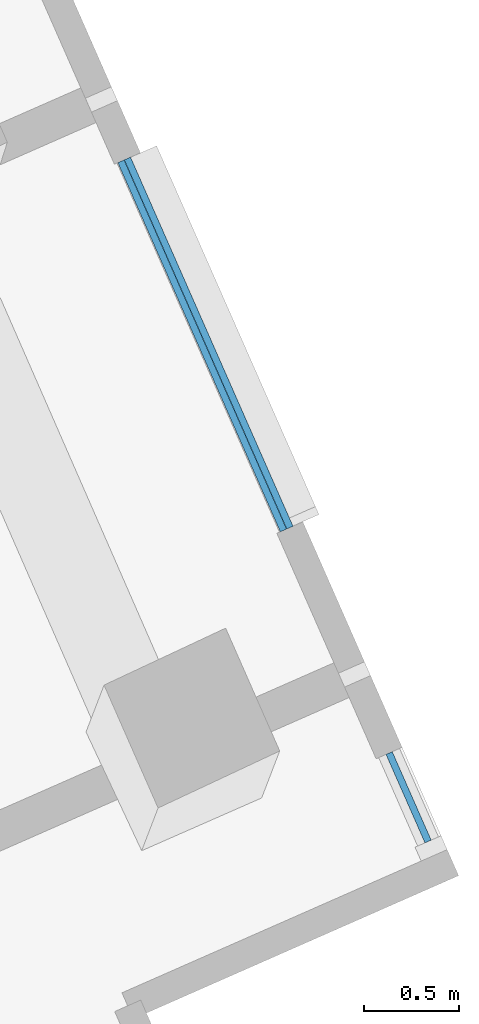
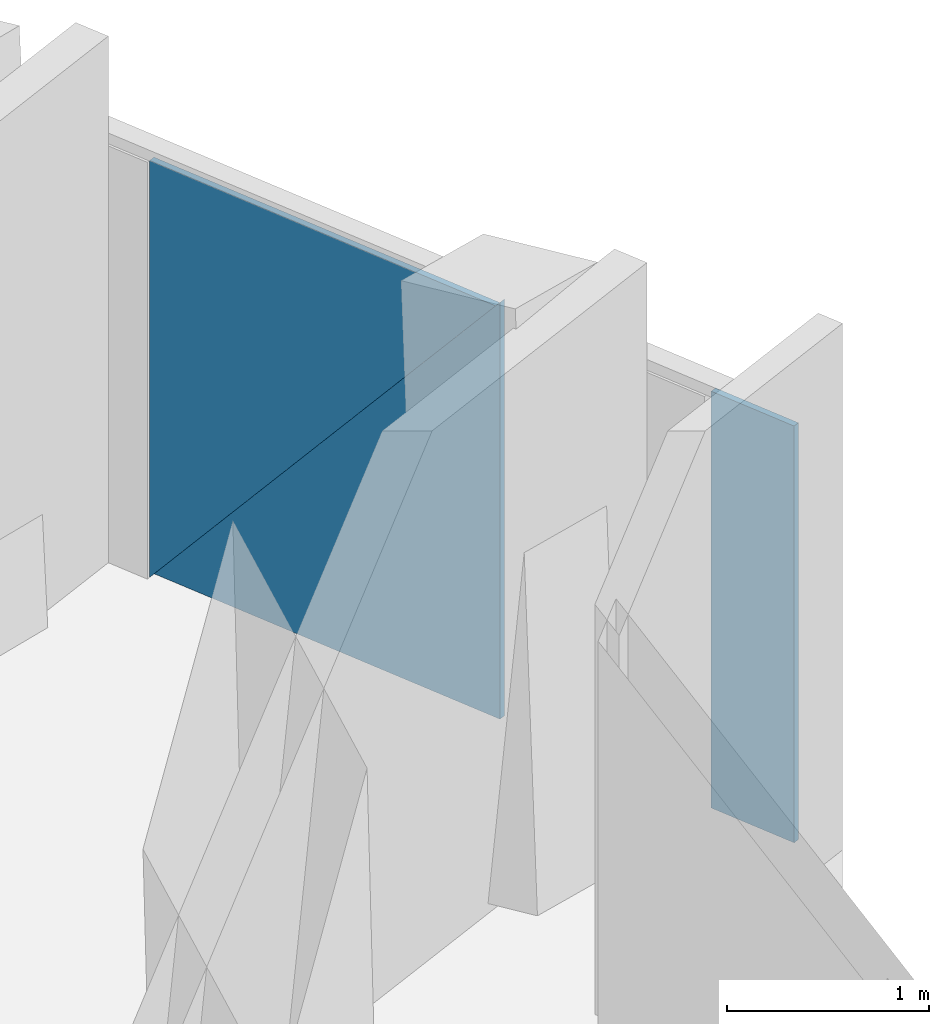
# One storey, part 14 of 22: 3 plates, 1 element without a shape of its own.
"""IFC4 building model written with IfcOpenShell, lengths in metres."""

from ifc_helpers import new_model, si_unit, direction, frame, origin, origin_2d, place, context, subcontext, project, spatial, polyline, rectangle, outline, extrude, material, layer, layer_set, type_object, element, aggregate, save


model = new_model("IFC4")

# Units and contexts
model_context = context("Model", 3, precision=1e-05, world=origin(), true_north=direction((0.0, 1.0)))
body_context = subcontext(model_context, "Body", "Model", "MODEL_VIEW")
ifc_project = project(units=[si_unit("LENGTHUNIT", "METRE"), si_unit("AREAUNIT", "SQUARE_METRE"), si_unit("VOLUMEUNIT", "CUBIC_METRE"), si_unit("PLANEANGLEUNIT", "RADIAN"), si_unit("MASSUNIT", "GRAM", prefix="KILO")], contexts=[model_context])

# Site, building, storey
site_placement = place(None, origin())
site = spatial("IfcSite", under=ifc_project, at=site_placement, CompositionType="ELEMENT")
building_placement = place(site_placement, origin())
building = spatial("IfcBuilding", under=site, at=building_placement, Name="Verdalira Terraces Hotel", CompositionType="ELEMENT")
storey_placement = place(building_placement, frame((0.0, 0.0, 252.5)))
storey = spatial("IfcBuildingStorey", under=building, at=storey_placement, Name="L62", CompositionType="ELEMENT", Elevation=252.5)

# Curtain wall, plates
ifc_material_1 = material(Name="Clear glass", Category="glass")
ifc_layer_1 = layer(ifc_material_1, 0.14990234375)
ifc_layer_set_1 = layer_set([ifc_layer_1], Name="CW3 curtain wall")
curtain_wall_type = type_object("IfcCurtainWallType", Name="CW3 curtain wall", PredefinedType="NOTDEFINED", material=ifc_layer_set_1)
curtain_wall_placement = place(storey_placement, origin())
curtain_wall = element("IfcCurtainWall", 1, at=curtain_wall_placement, inside=storey, type_object=curtain_wall_type, Name="CW3 curtain wall L62 edge 33", PredefinedType="NOTDEFINED")
ifc_material_2 = material(Name="Clear glass", Category="glass")
ifc_layer_2 = layer(ifc_material_2, 0.035888671875)
ifc_layer_set_2 = layer_set([ifc_layer_2], Name="CW3 glass unit 36")
plate_type = type_object("IfcPlateType", Name="CW3 glass unit 36", PredefinedType="CURTAIN_PANEL", material=ifc_layer_set_2)
plate_1_placement = place(storey_placement, frame((31.414062, 11.19043, 0.0), z_axis=(0.0, 0.0, 1.0), x_axis=(-0.402906436, 0.915241173, 0.0)))
plate_1 = element("IfcPlate", 2, at=plate_1_placement, type_object=plate_type, Name="CW3 glass unit", PredefinedType="CURTAIN_PANEL", context=body_context, shape_type="SweptSolid", body=[
    extrude(rectangle(XDim=0.51001, YDim=0.035889, at=origin_2d()), origin(), (0.0, 0.0, 1.0), 2.524902),
])
plate_2_placement = place(storey_placement, frame((30.342529, 13.580078, 1.262451), z_axis=(0.915241173, 0.402906436, 0.0), x_axis=(-0.402906436, 0.915241173, 0.0)))
plate_2 = element("IfcPlate", 3, at=plate_2_placement, type_object=plate_type, Name="CW3 glass unit", PredefinedType="CURTAIN_PANEL", context=body_context, shape_type="SweptSolid", body=[
    extrude(outline(polyline([(-1.063965, -1.262451), (1.063965, -1.262451), (-1.063965, 1.262451), (-1.063965, -1.262451)])), origin(), (0.0, 0.0, 1.0), 0.035889),
])
plate_3_placement = place(storey_placement, frame((30.308594, 13.565186, 1.262451), z_axis=(0.915241173, 0.402906436, 0.0), x_axis=(-0.402906436, 0.915241173, 0.0)))
plate_3 = element("IfcPlate", 4, at=plate_3_placement, type_object=plate_type, Name="CW3 glass unit", PredefinedType="CURTAIN_PANEL", context=body_context, shape_type="SweptSolid", body=[
    extrude(outline(polyline([(1.063965, -1.262451), (1.063965, 1.262451), (-1.063965, 1.262451), (1.063965, -1.262451)])), origin(), (0.0, 0.0, 1.0), 0.035889),
])
aggregate(curtain_wall, [plate_1, plate_2, plate_3])

save(model, "model.ifc")
